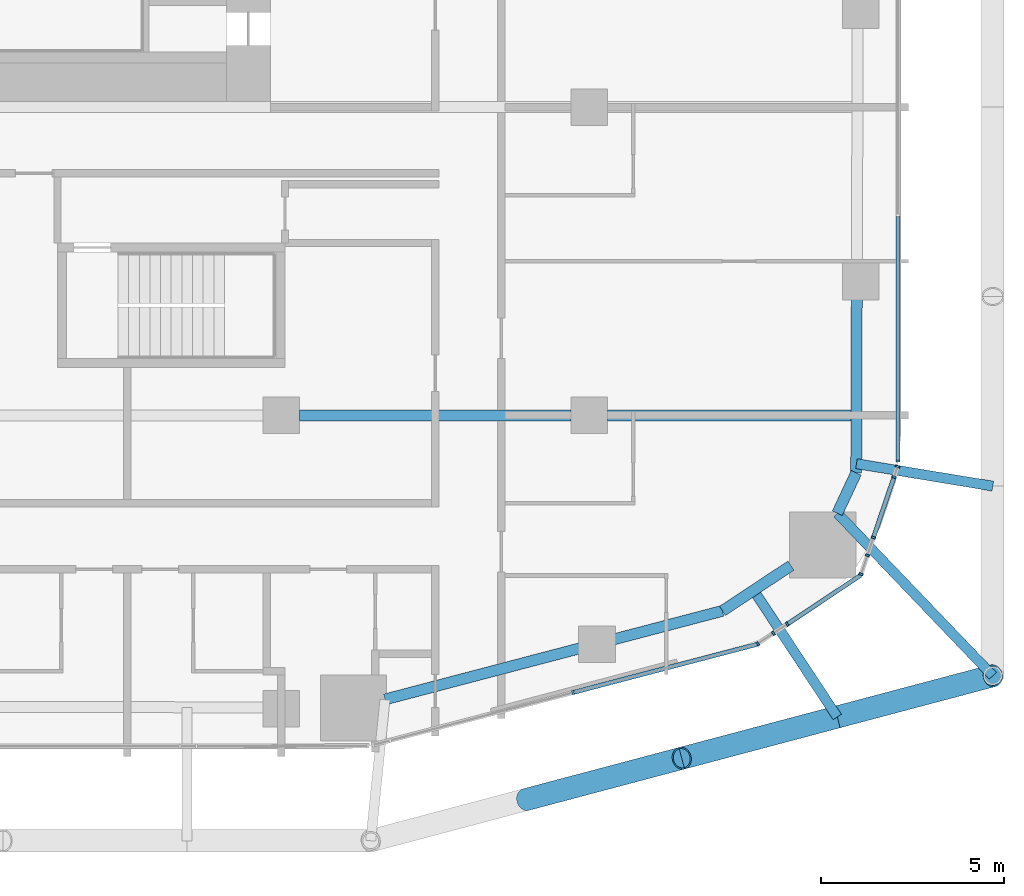
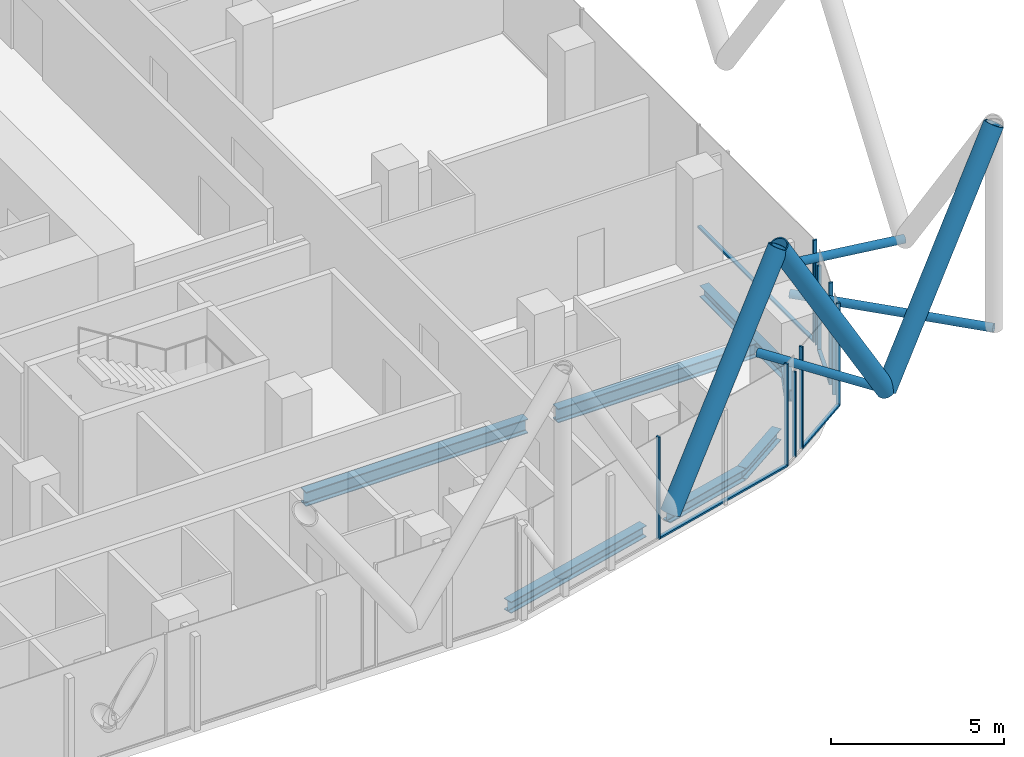
# One storey, part 6 of 38: 20 members, 7 beams, 9 elements without a shape of their own.
"""IFC4 building model written with IfcOpenShell, lengths in metres."""

from ifc_helpers import new_model, si_unit, direction, frame, origin, origin_2d, place, context, subcontext, project, spatial, rectangle, hollow_circle, i_section, extrude, material, layer, layer_set, material_profile, profile_set, type_object, element, aggregate, save


model = new_model("IFC4")

# Units and contexts
model_context = context("Model", 3, precision=1e-05, world=origin(), true_north=direction((0.0, 1.0)))
body_context = subcontext(model_context, "Body", "Model", "MODEL_VIEW")
ifc_project = project(units=[si_unit("LENGTHUNIT", "METRE"), si_unit("AREAUNIT", "SQUARE_METRE"), si_unit("VOLUMEUNIT", "CUBIC_METRE"), si_unit("PLANEANGLEUNIT", "RADIAN"), si_unit("MASSUNIT", "GRAM", prefix="KILO")], contexts=[model_context])

# Site, building, storey
site_placement = place(None, origin())
site = spatial("IfcSite", under=ifc_project, at=site_placement, CompositionType="ELEMENT")
building_placement = place(site_placement, origin())
building = spatial("IfcBuilding", under=site, at=building_placement, Name="Marenta Gate Hotel Tower", CompositionType="ELEMENT")
storey_placement = place(building_placement, frame((0.0, 0.0, 40.10009765625)))
storey = spatial("IfcBuildingStorey", under=building, at=storey_placement, Name="L07", CompositionType="ELEMENT", Elevation=40.10009765625)

# Members
ifc_material_1 = material(Name="Steel S355J2W", Category="steel")
ifc_material_profile_1 = material_profile(ifc_material_1, hollow_circle(Radius=0.304931640625, WallThickness=0.0400390625, at=origin_2d()), Name="CHS 610x40")
ifc_profile_set_1 = profile_set([ifc_material_profile_1], Name="Steel S355J2W")
member_type_1 = type_object("IfcMemberType", Name="Diagrid diagonal Z1 CHS 610x40", PredefinedType="BRACE", material=ifc_profile_set_1)
for number, where, z_axis, x_axis, name in (
    (1, (27.759765625, -16.625, 3.139892578125), (0.502925961678, 0.133405107407, 0.853972221087), (-0.256391194513, 0.966573098827, 0.0), "L07-DG-11"),
    (2, (27.759765625, -16.625, 3.139892578125), (-0.502924018666, -0.133433548941, 0.853968921838), (0.256443187528, -0.96655930577, 0.0), "L07-DG-12"),
    (3, (19.279296875, -18.875, 3.139892578125), (0.502924018666, 0.133433548941, 0.853968921838), (-0.256443187528, 0.96655930577, 0.0), "L07-DG-13"),
):
    element("IfcMember", number, at=place(storey_placement, frame(where, z_axis=z_axis, x_axis=x_axis)), inside=storey, type_object=member_type_1, Name=name, PredefinedType="BRACE", context=body_context, shape_type="SweptSolid", body=[
        extrude(hollow_circle(Radius=0.304931640625, WallThickness=0.0400390625, at=origin_2d()), origin(), (0.0, 0.0, 1.0), 8.43115234375),
    ])

# Beams
ifc_material_2 = material(Name="Steel S355", Category="steel")
ifc_material_profile_2 = material_profile(ifc_material_2, i_section(OverallWidth=0.300048828125, OverallDepth=0.39990234375, WebThickness=0.013427734375, FlangeThickness=0.02392578125, FilletRadius=0.027099609375, at=origin_2d()), Name="HEB 400")
ifc_profile_set_2 = profile_set([ifc_material_profile_2], Name="Steel S355")
beam_type_1 = type_object("IfcBeamType", Name="Edge beam HEB 400", PredefinedType="SPANDREL", material=ifc_profile_set_2)
beam_1_placement = place(storey_placement, frame((28.291015625, -5.2119140625, -0.460205078125), z_axis=(-0.003337079684, -0.999994431934, 0.0), x_axis=(0.999994431934, -0.003337079684, 0.0)))
element("IfcBeam", 4, at=beam_1_placement, inside=storey, type_object=beam_type_1, Name="L07-EB-27", PredefinedType="SPANDREL", context=body_context, shape_type="SweptSolid", body=[
    extrude(i_section(OverallWidth=0.300048828125, OverallDepth=0.39990234375, WebThickness=0.013427734375, FlangeThickness=0.02392578125, FilletRadius=0.027099609375, at=origin_2d()), origin(), (0.0, 0.0, 1.0), 4.75537109375),
])
beam_2_placement = place(storey_placement, frame((28.275146484375, -9.96728515625, -0.460205078125), z_axis=(-0.423291965192, -0.905993329006, 0.0), x_axis=(0.905993329006, -0.423291965192, 0.0)))
element("IfcBeam", 5, at=beam_2_placement, inside=storey, type_object=beam_type_1, Name="L07-EB-28", PredefinedType="SPANDREL", context=body_context, shape_type="SweptSolid", body=[
    extrude(i_section(OverallWidth=0.300048828125, OverallDepth=0.39990234375, WebThickness=0.013427734375, FlangeThickness=0.02392578125, FilletRadius=0.027099609375, at=origin_2d()), origin(), (0.0, 0.0, 1.0), 1.21630859375),
])
beam_3_placement = place(storey_placement, frame((26.496337890625, -12.498291015625, -0.460205078125), z_axis=(-0.834510054819, -0.550992711754, 0.0), x_axis=(0.550992711754, -0.834510054819, 0.0)))
element("IfcBeam", 6, at=beam_3_placement, inside=storey, type_object=beam_type_1, Name="L07-EB-29", PredefinedType="SPANDREL", context=body_context, shape_type="SweptSolid", body=[
    extrude(i_section(OverallWidth=0.300048828125, OverallDepth=0.39990234375, WebThickness=0.013427734375, FlangeThickness=0.02392578125, FilletRadius=0.027099609375, at=origin_2d()), origin(), (0.0, 0.0, 1.0), 2.237060546875),
])
beam_4_placement = place(storey_placement, frame((24.62939453125, -13.73095703125, -0.460205078125), z_axis=(-0.967228272573, -0.253908386501, 0.0), x_axis=(0.253908386501, -0.967228272573, 0.0)))
element("IfcBeam", 7, at=beam_4_placement, inside=storey, type_object=beam_type_1, Name="L07-EB-30", PredefinedType="SPANDREL", context=body_context, shape_type="SweptSolid", body=[
    extrude(i_section(OverallWidth=0.300048828125, OverallDepth=0.39990234375, WebThickness=0.013427734375, FlangeThickness=0.02392578125, FilletRadius=0.027099609375, at=origin_2d()), origin(), (0.0, 0.0, 1.0), 3.0615234375),
])
beam_5_placement = place(storey_placement, frame((20.74560546875, -14.75048828125, -0.460205078125), z_axis=(-0.967231374294, -0.253896570638, 0.0), x_axis=(0.253896570638, -0.967231374294, 0.0)))
element("IfcBeam", 8, at=beam_5_placement, inside=storey, type_object=beam_type_1, Name="L07-EB-31", PredefinedType="SPANDREL", context=body_context, shape_type="SweptSolid", body=[
    extrude(i_section(OverallWidth=0.300048828125, OverallDepth=0.39990234375, WebThickness=0.013427734375, FlangeThickness=0.02392578125, FilletRadius=0.027099609375, at=origin_2d()), origin(), (0.0, 0.0, 1.0), 5.498291015625),
])

# Members
ifc_material_3 = material(Name="Steel S355J2W", Category="steel")
ifc_material_profile_3 = material_profile(ifc_material_3, hollow_circle(Radius=0.136474609375, WallThickness=0.012451171875, at=origin_2d()), Name="CHS 273x12.5")
ifc_profile_set_3 = profile_set([ifc_material_profile_3], Name="Steel S355J2W")
member_type_2 = type_object("IfcMemberType", Name="Floor tie CHS 273x12.5", PredefinedType="STRUT", material=ifc_profile_set_3)
member_1_placement = place(storey_placement, frame((32.0, -10.330078125, 3.139892578125), z_axis=(-0.986724686623, 0.162401948291, 0.0), x_axis=(-0.162401948291, -0.986724686623, 0.0)))
element("IfcMember", 9, at=member_1_placement, inside=storey, type_object=member_type_2, Name="L07-DR-10", PredefinedType="STRUT", context=body_context, shape_type="SweptSolid", body=[
    extrude(hollow_circle(Radius=0.136474609375, WallThickness=0.012451171875, at=origin_2d()), origin(), (0.0, 0.0, 1.0), 3.767333984375),
])
member_2_placement = place(storey_placement, frame((32.0, -15.500244140625, 3.139892578125), z_axis=(-0.691351135911, 0.722518931845, 0.0), x_axis=(-0.722518931845, -0.691351135911, 0.0)))
element("IfcMember", 10, at=member_2_placement, inside=storey, type_object=member_type_2, Name="L07-DR-11", PredefinedType="STRUT", context=body_context, shape_type="SweptSolid", body=[
    extrude(hollow_circle(Radius=0.136474609375, WallThickness=0.012451171875, at=origin_2d()), origin(), (0.0, 0.0, 1.0), 6.12548828125),
])
member_3_placement = place(storey_placement, frame((27.759765625, -16.625, 3.139892578125), z_axis=(-0.550987031212, 0.83451380542, 0.0), x_axis=(-0.83451380542, -0.550987031212, 0.0)))
element("IfcMember", 11, at=member_3_placement, inside=storey, type_object=member_type_2, Name="L07-DR-12", PredefinedType="STRUT", context=body_context, shape_type="SweptSolid", body=[
    extrude(hollow_circle(Radius=0.136474609375, WallThickness=0.012451171875, at=origin_2d()), origin(), (0.0, 0.0, 1.0), 4.13330078125),
])

# Beams
ifc_material_4 = material(Name="Steel S355", Category="steel")
ifc_material_profile_4 = material_profile(ifc_material_4, i_section(OverallWidth=0.300048828125, OverallDepth=0.5, WebThickness=0.014404296875, FlangeThickness=0.028076171875, FilletRadius=0.027099609375, at=origin_2d()), Name="HEB 500")
ifc_profile_set_4 = profile_set([ifc_material_profile_4], Name="Steel S355")
beam_type_2 = type_object("IfcBeamType", Name="Girder HEB 500", PredefinedType="BEAM", material=ifc_profile_set_4)
beam_6_placement = place(storey_placement, frame((13.10009765625, -8.39990234375, -0.510009765625), z_axis=(1.0, 0.0, 0.0), x_axis=(0.0, 1.0, 0.0)))
element("IfcBeam", 12, at=beam_6_placement, inside=storey, type_object=beam_type_2, Name="L07-GD-6", PredefinedType="BEAM", context=body_context, shape_type="SweptSolid", body=[
    extrude(i_section(OverallWidth=0.300048828125, OverallDepth=0.5, WebThickness=0.014404296875, FlangeThickness=0.028076171875, FilletRadius=0.027099609375, at=origin_2d()), origin(), (0.0, 0.0, 1.0), 7.39990234375),
])
beam_7_placement = place(storey_placement, frame((21.5, -8.39990234375, -0.510009765625), z_axis=(1.0, 0.0, 0.0), x_axis=(0.0, 1.0, 0.0)))
element("IfcBeam", 13, at=beam_7_placement, inside=storey, type_object=beam_type_2, Name="L07-GD-7", PredefinedType="BEAM", context=body_context, shape_type="SweptSolid", body=[
    extrude(i_section(OverallWidth=0.300048828125, OverallDepth=0.5, WebThickness=0.014404296875, FlangeThickness=0.028076171875, FilletRadius=0.027099609375, at=origin_2d()), origin(), (0.0, 0.0, 1.0), 6.63037109375),
])

# Curtain wall, member
ifc_material_5 = material(Name="Tinted insulated glass in bronze anodised frame", Category="glass")
ifc_layer = layer(ifc_material_5, 0.1201171875)
ifc_layer_set = layer_set([ifc_layer], Name="Tinted insulated glass in bronze anodised frame")
curtain_wall_type = type_object("IfcCurtainWallType", Name="Tower unitised curtain wall CW1", PredefinedType="NOTDEFINED", material=ifc_layer_set)
curtain_wall_1_placement = place(storey_placement, origin())
curtain_wall_1 = element("IfcCurtainWall", 14, at=curtain_wall_1_placement, inside=storey, type_object=curtain_wall_type, Name="CW1 run G24", PredefinedType="NOTDEFINED")
ifc_material_6 = material(Name="Bronze anodised aluminium", Category="aluminium")
ifc_material_profile_5 = material_profile(ifc_material_6, rectangle(XDim=0.1201171875, YDim=0.06005859375, at=origin_2d()), Name="Mullion CW1 60x120 bronze anodised aluminium")
ifc_profile_set_5 = profile_set([ifc_material_profile_5], Name="Bronze anodised aluminium")
member_type_3 = type_object("IfcMemberType", Name="Mullion CW1 60x120 bronze anodised aluminium", PredefinedType="MULLION", material=ifc_profile_set_5)
member_4_placement = place(storey_placement, frame((20.5546875, -15.95654296875, 0.0), z_axis=(0.0, 0.0, 1.0), x_axis=(-0.253363691666, 0.967371097224, 0.0)))
member_4 = element("IfcMember", 15, at=member_4_placement, type_object=member_type_3, Name="CW1 mullion 2", PredefinedType="MULLION", context=body_context, shape_type="SweptSolid", body=[
    extrude(rectangle(XDim=0.1201171875, YDim=0.06005859375, at=origin_2d()), origin(), (0.0, 0.0, 1.0), 3.599853515625),
])

curtain_wall_2_placement = place(storey_placement, origin())
curtain_wall_2 = element("IfcCurtainWall", 16, at=curtain_wall_2_placement, inside=storey, type_object=curtain_wall_type, Name="CW1 run G25", PredefinedType="NOTDEFINED")
member_5_placement = place(storey_placement, frame((25.592529296875, -14.626953125, 0.0), z_axis=(0.0, 0.0, 1.0), x_axis=(-0.55406795082, 0.83247144448, 0.0)))
member_5 = element("IfcMember", 17, at=member_5_placement, type_object=member_type_3, Name="CW1 mullion 1", PredefinedType="MULLION", context=body_context, shape_type="SweptSolid", body=[
    extrude(rectangle(XDim=0.1201171875, YDim=0.06005859375, at=origin_2d()), origin(), (0.0, 0.0, 1.0), 3.599853515625),
])
aggregate(curtain_wall_2, [member_5])

curtain_wall_3_placement = place(storey_placement, origin())
curtain_wall_3 = element("IfcCurtainWall", 18, at=curtain_wall_3_placement, inside=storey, type_object=curtain_wall_type, Name="CW1 run G26", PredefinedType="NOTDEFINED")
member_6_placement = place(storey_placement, frame((26.01806640625, -14.34375, 0.0), z_axis=(0.0, 0.0, 1.0), x_axis=(-0.55393572557, 0.832559434477, 0.0)))
member_6 = element("IfcMember", 19, at=member_6_placement, type_object=member_type_3, Name="CW1 mullion 1", PredefinedType="MULLION", context=body_context, shape_type="SweptSolid", body=[
    extrude(rectangle(XDim=0.1201171875, YDim=0.06005859375, at=origin_2d()), origin(), (0.0, 0.0, 1.0), 3.00048828125),
])
aggregate(curtain_wall_3, [member_6])

curtain_wall_4_placement = place(storey_placement, origin())
curtain_wall_4 = element("IfcCurtainWall", 20, at=curtain_wall_4_placement, inside=storey, type_object=curtain_wall_type, Name="CW1 run G27", PredefinedType="NOTDEFINED")
member_7_placement = place(storey_placement, frame((26.395263671875, -14.0927734375, 0.0), z_axis=(0.0, 0.0, 1.0), x_axis=(-0.554045613941, 0.832486310802, 0.0)))
member_7 = element("IfcMember", 21, at=member_7_placement, type_object=member_type_3, Name="CW1 mullion 1", PredefinedType="MULLION", context=body_context, shape_type="SweptSolid", body=[
    extrude(rectangle(XDim=0.1201171875, YDim=0.06005859375, at=origin_2d()), origin(), (0.0, 0.0, 1.0), 3.599853515625),
])

curtain_wall_5_placement = place(storey_placement, origin())
curtain_wall_5 = element("IfcCurtainWall", 22, at=curtain_wall_5_placement, inside=storey, type_object=curtain_wall_type, Name="CW1 run G28", PredefinedType="NOTDEFINED")
member_8_placement = place(storey_placement, frame((28.405517578125, -12.73291015625, 0.0), z_axis=(0.0, 0.0, 1.0), x_axis=(-0.946722456746, 0.322050601446, 0.0)))
member_8 = element("IfcMember", 23, at=member_8_placement, type_object=member_type_3, Name="CW1 mullion 1", PredefinedType="MULLION", context=body_context, shape_type="SweptSolid", body=[
    extrude(rectangle(XDim=0.1201171875, YDim=0.06005859375, at=origin_2d()), origin(), (0.0, 0.0, 1.0), 3.599853515625),
])
aggregate(curtain_wall_5, [member_8])

curtain_wall_6_placement = place(storey_placement, origin())
curtain_wall_6 = element("IfcCurtainWall", 24, at=curtain_wall_6_placement, inside=storey, type_object=curtain_wall_type, Name="CW1 run G29", PredefinedType="NOTDEFINED")
member_9_placement = place(storey_placement, frame((28.5810546875, -12.216552734375, 0.0), z_axis=(0.0, 0.0, 1.0), x_axis=(-0.946746478316, 0.321979977321, 0.0)))
member_9 = element("IfcMember", 25, at=member_9_placement, type_object=member_type_3, Name="CW1 mullion 1", PredefinedType="MULLION", context=body_context, shape_type="SweptSolid", body=[
    extrude(rectangle(XDim=0.1201171875, YDim=0.06005859375, at=origin_2d()), origin(), (0.0, 0.0, 1.0), 3.00048828125),
])
aggregate(curtain_wall_6, [member_9])

curtain_wall_7_placement = place(storey_placement, origin())
curtain_wall_7 = element("IfcCurtainWall", 26, at=curtain_wall_7_placement, inside=storey, type_object=curtain_wall_type, Name="CW1 run G30", PredefinedType="NOTDEFINED")
member_10_placement = place(storey_placement, frame((28.74560546875, -11.733154296875, 0.0), z_axis=(0.0, 0.0, 1.0), x_axis=(-0.946728235546, 0.322033613183, 0.0)))
member_10 = element("IfcMember", 27, at=member_10_placement, type_object=member_type_3, Name="CW1 mullion 1", PredefinedType="MULLION", context=body_context, shape_type="SweptSolid", body=[
    extrude(rectangle(XDim=0.1201171875, YDim=0.06005859375, at=origin_2d()), origin(), (0.0, 0.0, 1.0), 3.599853515625),
])

# Curtain wall, members
curtain_wall_8_placement = place(storey_placement, origin())
curtain_wall_8 = element("IfcCurtainWall", 28, at=curtain_wall_8_placement, inside=storey, type_object=curtain_wall_type, Name="CW1 run G31", PredefinedType="NOTDEFINED")
member_11_placement = place(storey_placement, frame((29.3056640625, -10.086181640625, 0.0), z_axis=(0.0, 0.0, 1.0), x_axis=(-0.946726116827, 0.322039841818, 0.0)))
member_11 = element("IfcMember", 29, at=member_11_placement, type_object=member_type_3, Name="CW1 mullion 1", PredefinedType="MULLION", context=body_context, shape_type="SweptSolid", body=[
    extrude(rectangle(XDim=0.1201171875, YDim=0.06005859375, at=origin_2d()), origin(), (0.0, 0.0, 1.0), 3.00048828125),
])
member_12_placement = place(storey_placement, frame((29.404296875, -9.79638671875, 0.0), z_axis=(0.0, 0.0, 1.0), x_axis=(-0.946726116827, 0.322039841818, 0.0)))
member_12 = element("IfcMember", 30, at=member_12_placement, type_object=member_type_3, Name="CW1 mullion 2", PredefinedType="MULLION", context=body_context, shape_type="SweptSolid", body=[
    extrude(rectangle(XDim=0.1201171875, YDim=0.06005859375, at=origin_2d()), origin(), (0.0, 0.0, 1.0), 3.00048828125),
])
aggregate(curtain_wall_8, [member_11, member_12])

# Curtain wall, member
curtain_wall_9_placement = place(storey_placement, origin())
curtain_wall_9 = element("IfcCurtainWall", 31, at=curtain_wall_9_placement, inside=storey, type_object=curtain_wall_type, Name="CW1 run G32", PredefinedType="NOTDEFINED")
member_13_placement = place(storey_placement, frame((29.4140625, -9.64501953125, 0.0), z_axis=(0.0, 0.0, 1.0), x_axis=(-1.0, 0.0, 0.0)))
member_13 = element("IfcMember", 32, at=member_13_placement, type_object=member_type_3, Name="CW1 mullion 1", PredefinedType="MULLION", context=body_context, shape_type="SweptSolid", body=[
    extrude(rectangle(XDim=0.1201171875, YDim=0.06005859375, at=origin_2d()), origin(), (0.0, 0.0, 1.0), 3.599853515625),
])

# Member
ifc_material_7 = material(Name="Bronze anodised aluminium", Category="aluminium")
ifc_material_profile_6 = material_profile(ifc_material_7, rectangle(XDim=0.1201171875, YDim=0.06005859375, at=origin_2d()), Name="Transom CW1 60x120 bronze anodised aluminium")
ifc_profile_set_6 = profile_set([ifc_material_profile_6], Name="Bronze anodised aluminium")
member_type_4 = type_object("IfcMemberType", Name="Transom CW1 60x120 bronze anodised aluminium", PredefinedType="USERDEFINED", material=ifc_profile_set_6)
member_14_placement = place(storey_placement, frame((20.583740234375, -15.948974609375, 0.02978515625), z_axis=(0.967366692523, 0.253380508716, 0.0), x_axis=(-0.253380508716, 0.967366692523, 0.0)))
member_14 = element("IfcMember", 33, at=member_14_placement, type_object=member_type_4, Name="CW1 transom 2.1", ObjectType="TRANSOM", PredefinedType="USERDEFINED", context=body_context, shape_type="SweptSolid", body=[
    extrude(rectangle(XDim=0.1201171875, YDim=0.06005859375, at=origin_2d()), origin(), (0.0, 0.0, 1.0), 5.152099609375),
])

aggregate(curtain_wall_1, [member_4, member_14])

member_15_placement = place(storey_placement, frame((26.420166015625, -14.076171875, 0.02978515625), z_axis=(0.832509014786, 0.554011498347, 0.0), x_axis=(-0.554011498347, 0.832509014786, 0.0)))
member_15 = element("IfcMember", 34, at=member_15_placement, type_object=member_type_4, Name="CW1 transom 1.1", ObjectType="TRANSOM", PredefinedType="USERDEFINED", context=body_context, shape_type="SweptSolid", body=[
    extrude(rectangle(XDim=0.1201171875, YDim=0.06005859375, at=origin_2d()), origin(), (0.0, 0.0, 1.0), 2.373046875),
])

aggregate(curtain_wall_4, [member_7, member_15])

member_16_placement = place(storey_placement, frame((28.755126953125, -11.70458984375, 0.02978515625), z_axis=(0.322108589973, 0.946702728562, 0.0), x_axis=(-0.946702728562, 0.322108589973, 0.0)))
member_16 = element("IfcMember", 35, at=member_16_placement, type_object=member_type_4, Name="CW1 transom 1.1", ObjectType="TRANSOM", PredefinedType="USERDEFINED", context=body_context, shape_type="SweptSolid", body=[
    extrude(rectangle(XDim=0.1201171875, YDim=0.06005859375, at=origin_2d()), origin(), (0.0, 0.0, 1.0), 1.6796875),
])

aggregate(curtain_wall_7, [member_10, member_16])

member_17_placement = place(storey_placement, frame((29.4140625, -9.614990234375, 0.02978515625), z_axis=(0.0, 1.0, 0.0), x_axis=(-1.0, 0.0, 0.0)))
member_17 = element("IfcMember", 36, at=member_17_placement, type_object=member_type_4, Name="CW1 transom 1.1", ObjectType="TRANSOM", PredefinedType="USERDEFINED", context=body_context, shape_type="SweptSolid", body=[
    extrude(rectangle(XDim=0.1201171875, YDim=0.06005859375, at=origin_2d()), origin(), (0.0, 0.0, 1.0), 6.640625),
])

aggregate(curtain_wall_9, [member_13, member_17])

save(model, "model.ifc")
